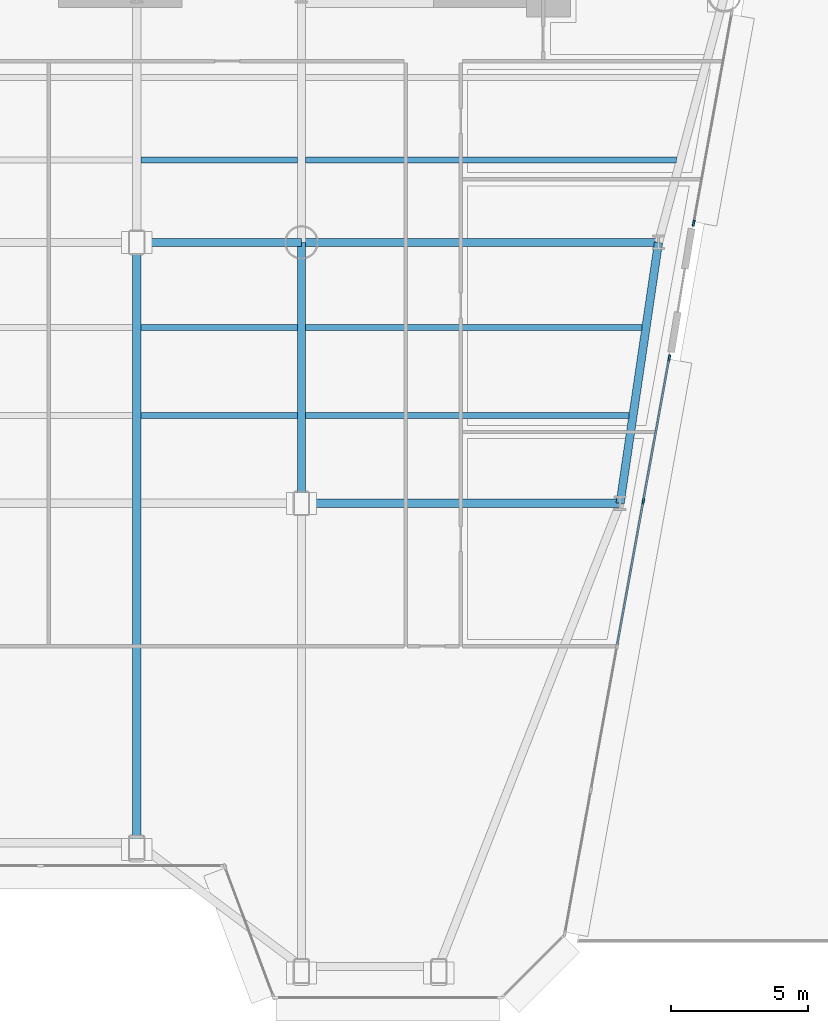
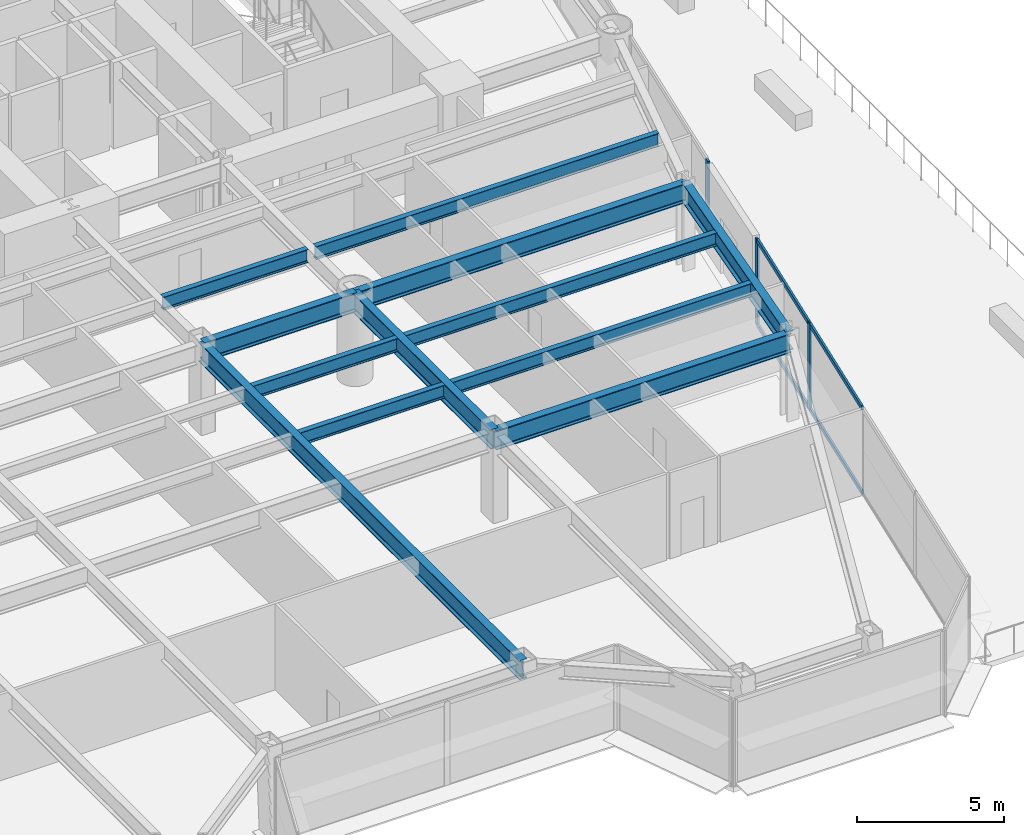
# One storey, part 4 of 14: 12 beams, 7 members, 2 elements without a shape of their own.
"""IFC4 building model written with IfcOpenShell, lengths in metres."""

from ifc_helpers import new_model, si_unit, direction, frame, origin, origin_2d, place, context, subcontext, project, spatial, rectangle, i_section, extrude, source, transform, mapped, material, layer, layer_set, material_profile, profile_set, type_object, element, aggregate, save


model = new_model("IFC4")

# Units and contexts
model_context = context("Model", 3, precision=1e-05, world=origin(), true_north=direction((0.0, 1.0)))
body_context = subcontext(model_context, "Body", "Model", "MODEL_VIEW")
ifc_project = project(units=[si_unit("LENGTHUNIT", "METRE"), si_unit("AREAUNIT", "SQUARE_METRE"), si_unit("VOLUMEUNIT", "CUBIC_METRE"), si_unit("PLANEANGLEUNIT", "RADIAN"), si_unit("MASSUNIT", "GRAM", prefix="KILO")], contexts=[model_context])

# Site, building, storey
site_placement = place(None, origin())
site = spatial("IfcSite", under=ifc_project, at=site_placement, CompositionType="ELEMENT")
building_placement = place(site_placement, origin())
building = spatial("IfcBuilding", under=site, at=building_placement, Name="Vaeldorn Concourse Tower", CompositionType="ELEMENT")
storey_placement = place(building_placement, frame((0.0, 0.0, 18.800048828125)))
storey = spatial("IfcBuildingStorey", under=building, at=storey_placement, Name="L04", CompositionType="ELEMENT", Elevation=18.800048828125)

# Beams
ifc_material_1 = material(Name="Steel S355", Category="steel")
ifc_material_profile_1 = material_profile(ifc_material_1, i_section(OverallWidth=0.300048828125, OverallDepth=0.800048828125, WebThickness=0.017578125, FlangeThickness=0.032958984375, FilletRadius=0.030029296875, at=origin_2d()), Name="HEB 800")
ifc_profile_set_1 = profile_set([ifc_material_profile_1], Name="Steel S355")
beam_type_1 = type_object("IfcBeamType", Name="BM-PG-HEB800", PredefinedType="BEAM", material=ifc_profile_set_1)
shared_shape_1 = source(origin(), body_context, "Body", "SweptSolid", [
    extrude(i_section(OverallWidth=0.300048828125, OverallDepth=0.800048828125, WebThickness=0.017578125, FlangeThickness=0.032958984375, FilletRadius=0.030029296875, at=origin_2d()), origin(), (0.0, 0.0, 1.0), 6.0),
])
beam_1_placement = place(storey_placement, frame((39.0, 27.5, 3.179931640625), z_axis=(1.0, 0.0, 0.0), x_axis=(0.0, 1.0, 0.0)))
element("IfcBeam", 1, at=beam_1_placement, inside=storey, type_object=beam_type_1, Name="Beam BM-L04-C-TW3-C-TW4", PredefinedType="BEAM", context=body_context, shape_type="MappedRepresentation", body=[
    mapped(shared_shape_1, transform((0.0, 0.0, 0.0), scale=1.0)),
])
shared_shape_2 = source(origin(), body_context, "Body", "SweptSolid", [
    extrude(i_section(OverallWidth=0.300048828125, OverallDepth=0.800048828125, WebThickness=0.017578125, FlangeThickness=0.032958984375, FilletRadius=0.030029296875, at=origin_2d()), origin(), (0.0, 0.0, 1.0), 13.0),
])
beam_2_placement = place(storey_placement, frame((45.0, 27.5, 3.179931640625), z_axis=(1.0, 0.0, 0.0), x_axis=(0.0, 1.0, 0.0)))
element("IfcBeam", 2, at=beam_2_placement, inside=storey, type_object=beam_type_1, Name="Beam BM-L04-C-TW4-C-FLE1", PredefinedType="BEAM", context=body_context, shape_type="MappedRepresentation", body=[
    mapped(shared_shape_2, transform((0.0, 0.0, 0.0), scale=1.0)),
])
shared_shape_3 = source(origin(), body_context, "Body", "SweptSolid", [
    extrude(i_section(OverallWidth=0.300048828125, OverallDepth=0.800048828125, WebThickness=0.017578125, FlangeThickness=0.032958984375, FilletRadius=0.030029296875, at=origin_2d()), origin(), (0.0, 0.0, 1.0), 9.6025390625),
])
beam_3_placement = place(storey_placement, frame((58.0, 27.5, 3.179931640625), z_axis=(-0.145783835977, -0.989316467652, 0.0), x_axis=(0.989316467652, -0.145783835977, 0.0)))
element("IfcBeam", 3, at=beam_3_placement, inside=storey, type_object=beam_type_1, Name="Beam BM-L04-C-FLE1-C-FLE2", PredefinedType="BEAM", context=body_context, shape_type="MappedRepresentation", body=[
    mapped(shared_shape_3, transform((0.0, 0.0, 0.0), scale=1.0)),
])
shared_shape_4 = source(origin(), body_context, "Body", "SweptSolid", [
    extrude(i_section(OverallWidth=0.300048828125, OverallDepth=0.800048828125, WebThickness=0.017578125, FlangeThickness=0.032958984375, FilletRadius=0.030029296875, at=origin_2d()), origin(), (0.0, 0.0, 1.0), 11.60009765625),
])
beam_4_placement = place(storey_placement, frame((45.0, 18.0, 3.179931640625), z_axis=(1.0, 0.0, 0.0), x_axis=(0.0, 1.0, 0.0)))
element("IfcBeam", 4, at=beam_4_placement, inside=storey, type_object=beam_type_1, Name="Beam BM-L04-C-TW6-C-FLE2", PredefinedType="BEAM", context=body_context, shape_type="MappedRepresentation", body=[
    mapped(shared_shape_4, transform((0.0, 0.0, 0.0), scale=1.0)),
])
shared_shape_5 = source(origin(), body_context, "Body", "SweptSolid", [
    extrude(i_section(OverallWidth=0.300048828125, OverallDepth=0.800048828125, WebThickness=0.017578125, FlangeThickness=0.032958984375, FilletRadius=0.030029296875, at=origin_2d()), origin(), (0.0, 0.0, 1.0), 9.5),
])
beam_5_placement = place(storey_placement, frame((45.0, 18.0, 3.179931640625), z_axis=(0.0, 1.0, 0.0), x_axis=(-1.0, 0.0, 0.0)))
element("IfcBeam", 5, at=beam_5_placement, inside=storey, type_object=beam_type_1, Name="Beam BM-L04-C-TW6-C-TW4", PredefinedType="BEAM", context=body_context, shape_type="MappedRepresentation", body=[
    mapped(shared_shape_5, transform((0.0, 0.0, 0.0), scale=1.0)),
])
shared_shape_6 = source(origin(), body_context, "Body", "SweptSolid", [
    extrude(i_section(OverallWidth=0.300048828125, OverallDepth=0.800048828125, WebThickness=0.017578125, FlangeThickness=0.032958984375, FilletRadius=0.030029296875, at=origin_2d()), origin(), (0.0, 0.0, 1.0), 21.86083984375),
])
beam_6_placement = place(storey_placement, frame((39.0, 5.63916015625, 3.179931640625), z_axis=(0.0, 1.0, 0.0), x_axis=(-1.0, 0.0, 0.0)))
element("IfcBeam", 6, at=beam_6_placement, inside=storey, type_object=beam_type_1, Name="Beam BM-L04-C-SF4-C-TW3", PredefinedType="BEAM", context=body_context, shape_type="MappedRepresentation", body=[
    mapped(shared_shape_6, transform((0.0, 0.0, 0.0), scale=1.0)),
])
ifc_material_profile_2 = material_profile(ifc_material_1, i_section(OverallWidth=0.2099609375, OverallDepth=0.550048828125, WebThickness=0.010986328125, FlangeThickness=0.01708984375, FilletRadius=0.02392578125, at=origin_2d()), Name="IPE 550")
ifc_profile_set_2 = profile_set([ifc_material_profile_2], Name="Steel S355")
beam_type_2 = type_object("IfcBeamType", Name="BM-JS-IPE550", PredefinedType="JOIST", material=ifc_profile_set_2)
shared_shape_7 = source(origin(), body_context, "Body", "SweptSolid", [
    extrude(i_section(OverallWidth=0.2099609375, OverallDepth=0.550048828125, WebThickness=0.010986328125, FlangeThickness=0.01708984375, FilletRadius=0.02392578125, at=origin_2d()), origin(), (0.0, 0.0, 1.0), 11.771728515625),
])
beam_7_placement = place(storey_placement, frame((45.14990234375, 21.199951171875, 3.304931640625), z_axis=(1.0, 0.0, 0.0), x_axis=(0.0, 1.0, 0.0)))
element("IfcBeam", 7, at=beam_7_placement, inside=storey, type_object=beam_type_2, Name="Beam JS-L04-E1-212", PredefinedType="JOIST", context=body_context, shape_type="MappedRepresentation", body=[
    mapped(shared_shape_7, transform((0.0, 0.0, 0.0), scale=1.0)),
])
shared_shape_8 = source(origin(), body_context, "Body", "SweptSolid", [
    extrude(i_section(OverallWidth=0.2099609375, OverallDepth=0.550048828125, WebThickness=0.010986328125, FlangeThickness=0.01708984375, FilletRadius=0.02392578125, at=origin_2d()), origin(), (0.0, 0.0, 1.0), 5.7001953125),
])
for number, where, z_axis, x_axis, name in (
    (8, (39.14990234375, 21.199951171875, 3.304931640625), (1.0, 0.0, 0.0), (0.0, 1.0, 0.0), "Beam JS-L04-E2-212"),
    (9, (39.14990234375, 24.39990234375, 3.304931640625), (1.0, 0.0, 0.0), (0.0, 1.0, 0.0), "Beam JS-L04-E2-244"),
    (10, (39.14990234375, 30.5, 3.304931640625), (1.0, 0.0, 0.0), (0.0, 1.0, 0.0), "Beam JS-L04-E2-305"),
):
    element("IfcBeam", number, at=place(storey_placement, frame(where, z_axis=z_axis, x_axis=x_axis)), inside=storey, type_object=beam_type_2, Name=name, PredefinedType="JOIST", context=body_context, shape_type="MappedRepresentation", body=[
        mapped(shared_shape_8, transform((0.0, 0.0, 0.0), scale=1.0)),
    ])
shared_shape_9 = source(origin(), body_context, "Body", "SweptSolid", [
    extrude(i_section(OverallWidth=0.2099609375, OverallDepth=0.550048828125, WebThickness=0.010986328125, FlangeThickness=0.01708984375, FilletRadius=0.02392578125, at=origin_2d()), origin(), (0.0, 0.0, 1.0), 12.243408203125),
])
beam_8_placement = place(storey_placement, frame((45.14990234375, 24.39990234375, 3.304931640625), z_axis=(1.0, 0.0, 0.0), x_axis=(0.0, 1.0, 0.0)))
element("IfcBeam", 11, at=beam_8_placement, inside=storey, type_object=beam_type_2, Name="Beam JS-L04-E1-244", PredefinedType="JOIST", context=body_context, shape_type="MappedRepresentation", body=[
    mapped(shared_shape_9, transform((0.0, 0.0, 0.0), scale=1.0)),
])
shared_shape_10 = source(origin(), body_context, "Body", "SweptSolid", [
    extrude(i_section(OverallWidth=0.2099609375, OverallDepth=0.550048828125, WebThickness=0.010986328125, FlangeThickness=0.01708984375, FilletRadius=0.02392578125, at=origin_2d()), origin(), (0.0, 0.0, 1.0), 13.5),
])
beam_9_placement = place(storey_placement, frame((45.14990234375, 30.5, 3.304931640625), z_axis=(1.0, 0.0, 0.0), x_axis=(0.0, 1.0, 0.0)))
element("IfcBeam", 12, at=beam_9_placement, inside=storey, type_object=beam_type_2, Name="Beam JS-L04-E1-305", PredefinedType="JOIST", context=body_context, shape_type="MappedRepresentation", body=[
    mapped(shared_shape_10, transform((0.0, 0.0, 0.0), scale=1.0)),
])

# Curtain wall, members
ifc_material_2 = material(Name="Anodised Bronze Aluminium", Category="aluminium")
ifc_layer = layer(ifc_material_2, 0.2099609375)
ifc_layer_set = layer_set([ifc_layer], Name="Anodised Bronze Aluminium")
curtain_wall_type = type_object("IfcCurtainWallType", Name="CW-SYS-06", PredefinedType="NOTDEFINED", material=ifc_layer_set)
curtain_wall_1_placement = place(storey_placement, origin())
curtain_wall_1 = element("IfcCurtainWall", 13, at=curtain_wall_1_placement, inside=storey, type_object=curtain_wall_type, Name="Unitised Curtain Wall CW-L04-E07-1", PredefinedType="NOTDEFINED")
ifc_material_profile_3 = material_profile(ifc_material_2, rectangle(XDim=0.074951171875, YDim=0.219970703125, at=origin_2d()), Name="CWM 75x220")
ifc_profile_set_3 = profile_set([ifc_material_profile_3], Name="Anodised Bronze Aluminium")
member_type_1 = type_object("IfcMemberType", Name="CWM-BRONZE-220", PredefinedType="MULLION", material=ifc_profile_set_3)
shared_shape_11 = source(origin(), body_context, "Body", "SweptSolid", [
    extrude(rectangle(XDim=0.074951171875, YDim=0.219970703125, at=origin_2d()), origin(), (0.0, 0.0, 1.0), 3.579833984375),
])
member_1_placement = place(storey_placement, frame((57.445556640625, 18.07373046875, 0.0), z_axis=(0.0, 0.0, 1.0), x_axis=(-0.983949757326, 0.1784457202, 0.0)))
member_1 = element("IfcMember", 14, at=member_1_placement, type_object=member_type_1, Name="CW-06 mullion 4", PredefinedType="MULLION", context=body_context, shape_type="MappedRepresentation", body=[
    mapped(shared_shape_11, transform((0.0, 0.0, 0.0), scale=1.0)),
])
member_2_placement = place(storey_placement, frame((58.392578125, 23.294677734375, 0.0), z_axis=(0.0, 0.0, 1.0), x_axis=(-0.983949757326, 0.1784457202, 0.0)))
member_2 = element("IfcMember", 15, at=member_2_placement, type_object=member_type_1, Name="CW-06 mullion 5", PredefinedType="MULLION", context=body_context, shape_type="MappedRepresentation", body=[
    mapped(shared_shape_11, transform((0.0, 0.0, 0.0), scale=1.0)),
])

# Curtain wall, member
curtain_wall_2_placement = place(storey_placement, origin())
curtain_wall_2 = element("IfcCurtainWall", 16, at=curtain_wall_2_placement, inside=storey, type_object=curtain_wall_type, Name="Unitised Curtain Wall CW-L04-E07-2", PredefinedType="NOTDEFINED")
member_3_placement = place(storey_placement, frame((59.282470703125, 28.2021484375, 0.0), z_axis=(0.0, 0.0, 1.0), x_axis=(-0.983950207117, 0.178443240034, 0.0)))
member_3 = element("IfcMember", 17, at=member_3_placement, type_object=member_type_1, Name="CW-06 mullion 1", PredefinedType="MULLION", context=body_context, shape_type="MappedRepresentation", body=[
    mapped(shared_shape_11, transform((0.0, 0.0, 0.0), scale=1.0)),
])
aggregate(curtain_wall_2, [member_3])

# Member
ifc_material_profile_4 = material_profile(ifc_material_2, rectangle(XDim=0.074951171875, YDim=0.179931640625, at=origin_2d()), Name="CWT 75x180")
ifc_profile_set_4 = profile_set([ifc_material_profile_4], Name="Anodised Bronze Aluminium")
member_type_2 = type_object("IfcMemberType", Name="CWT-BRONZE-180", PredefinedType="USERDEFINED", material=ifc_profile_set_4)
shared_shape_12 = source(origin(), body_context, "Body", "SweptSolid", [
    extrude(rectangle(XDim=0.074951171875, YDim=0.179931640625, at=origin_2d()), origin(), (0.0, 0.0, 1.0), 5.231201171875),
])
member_4_placement = place(storey_placement, frame((57.452392578125, 18.110595703125, 0.037353515625), z_axis=(0.178421326833, 0.98395418091, 0.0), x_axis=(-0.98395418091, 0.178421326833, 0.0)))
member_4 = element("IfcMember", 18, at=member_4_placement, type_object=member_type_2, Name="CW-06 transom 4.1", ObjectType="TRANSOM", PredefinedType="USERDEFINED", context=body_context, shape_type="MappedRepresentation", body=[
    mapped(shared_shape_12, transform((0.0, 0.0, 0.0), scale=1.0)),
])

member_5_placement = place(storey_placement, frame((57.452392578125, 18.110595703125, 3.54248046875), z_axis=(0.178421326833, 0.98395418091, 0.0), x_axis=(-0.98395418091, 0.178421326833, 0.0)))
member_5 = element("IfcMember", 19, at=member_5_placement, type_object=member_type_2, Name="CW-06 transom 4.2", ObjectType="TRANSOM", PredefinedType="USERDEFINED", context=body_context, shape_type="MappedRepresentation", body=[
    mapped(shared_shape_12, transform((0.0, 0.0, 0.0), scale=1.0)),
])

shared_shape_13 = source(origin(), body_context, "Body", "SweptSolid", [
    extrude(rectangle(XDim=0.074951171875, YDim=0.179931640625, at=origin_2d()), origin(), (0.0, 0.0, 1.0), 5.2685546875),
])
member_6_placement = place(storey_placement, frame((56.498779296875, 12.8525390625, 0.037353515625), z_axis=(0.17844909843, 0.983949144656, 0.0), x_axis=(-0.983949144656, 0.17844909843, 0.0)))
member_6 = element("IfcMember", 20, at=member_6_placement, type_object=member_type_2, Name="CW-06 transom 3.1", ObjectType="TRANSOM", PredefinedType="USERDEFINED", context=body_context, shape_type="MappedRepresentation", body=[
    mapped(shared_shape_13, transform((0.0, 0.0, 0.0), scale=1.0)),
])

member_7_placement = place(storey_placement, frame((56.498779296875, 12.8525390625, 3.54248046875), z_axis=(0.17844909843, 0.983949144656, 0.0), x_axis=(-0.983949144656, 0.17844909843, 0.0)))
member_7 = element("IfcMember", 21, at=member_7_placement, type_object=member_type_2, Name="CW-06 transom 3.2", ObjectType="TRANSOM", PredefinedType="USERDEFINED", context=body_context, shape_type="MappedRepresentation", body=[
    mapped(shared_shape_13, transform((0.0, 0.0, 0.0), scale=1.0)),
])

aggregate(curtain_wall_1, [member_1, member_2, member_6, member_7, member_4, member_5])

save(model, "model.ifc")
